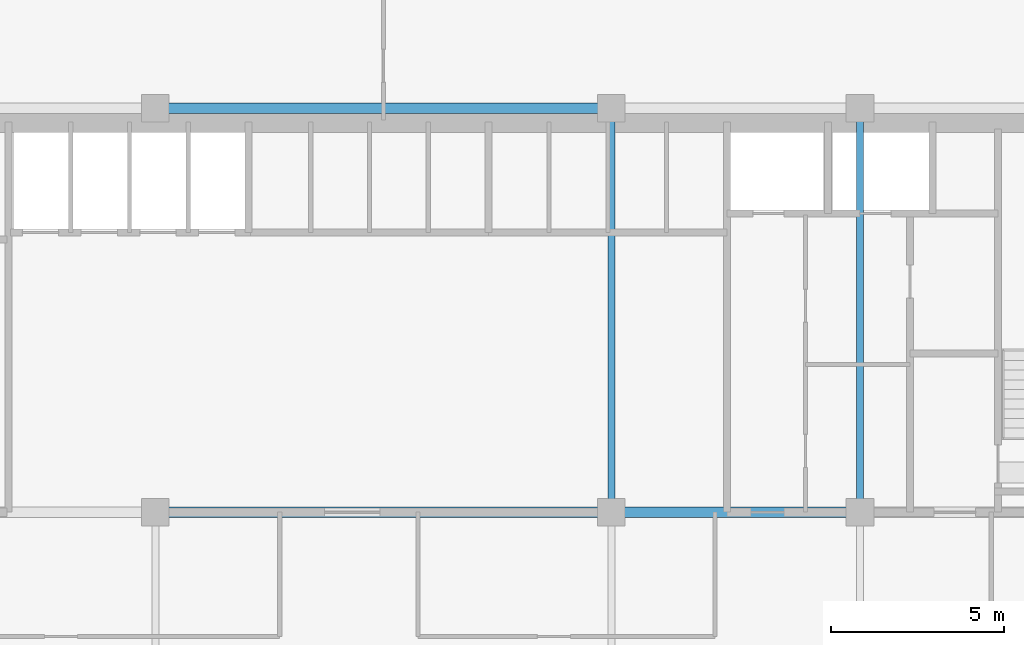
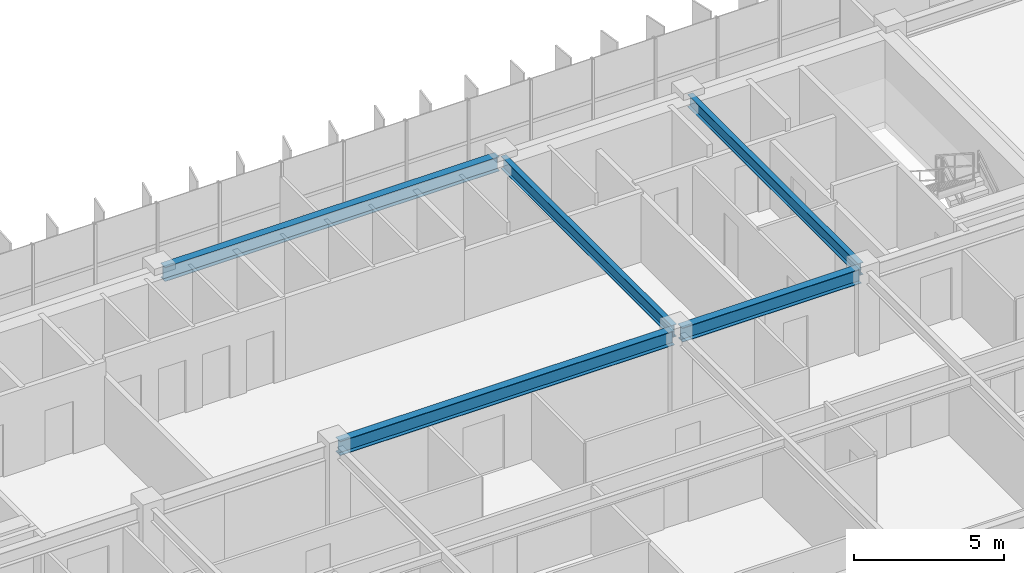
# One storey, part 8 of 21: 5 beams.
"""IFC4 building model written with IfcOpenShell, lengths in metres."""

from ifc_helpers import new_model, si_unit, direction, frame, origin, origin_2d, place, context, subcontext, project, spatial, i_section, extrude, source, transform, mapped, material, material_profile, profile_set, type_object, element, save


model = new_model("IFC4")

# Units and contexts
model_context = context("Model", 3, precision=1e-05, world=origin(), true_north=direction((0.0, 1.0)))
body_context = subcontext(model_context, "Body", "Model", "MODEL_VIEW")
ifc_project = project(units=[si_unit("LENGTHUNIT", "METRE"), si_unit("AREAUNIT", "SQUARE_METRE"), si_unit("VOLUMEUNIT", "CUBIC_METRE"), si_unit("PLANEANGLEUNIT", "RADIAN"), si_unit("MASSUNIT", "GRAM", prefix="KILO")], contexts=[model_context])

# Site, building, storey
site_placement = place(None, origin())
site = spatial("IfcSite", under=ifc_project, at=site_placement, CompositionType="ELEMENT")
building_placement = place(site_placement, origin())
building = spatial("IfcBuilding", under=site, at=building_placement, Name="Trelvane Seafront Commons", CompositionType="ELEMENT")
storey_placement = place(building_placement, frame((0.0, 0.0, 106.89990234375)))
storey = spatial("IfcBuildingStorey", under=building, at=storey_placement, Name="L27", CompositionType="ELEMENT", Elevation=106.89990234375)

# Beams
ifc_material = material(Name="Steel SM355 (S355)", Category="steel")
ifc_material_profile_1 = material_profile(ifc_material, i_section(OverallWidth=0.300048828125, OverallDepth=0.587890625, WebThickness=0.011962890625, FlangeThickness=0.02001953125, at=origin_2d()), Name="H-588x300x12x20")
ifc_profile_set_1 = profile_set([ifc_material_profile_1], Name="Steel SM355 (S355)")
beam_type_1 = type_object("IfcBeamType", Name="STR-BM-H588", PredefinedType="BEAM", material=ifc_profile_set_1)
shared_shape_1 = source(origin(), body_context, "Body", "SweptSolid", [
    extrude(i_section(OverallWidth=0.300048828125, OverallDepth=0.587890625, WebThickness=0.011962890625, FlangeThickness=0.02001953125, at=origin_2d()), origin(), (0.0, 0.0, 1.0), 12.89990234375),
])
for number, where, z_axis, x_axis, name in (
    (1, (30.75, 33.39990234375, 3.046142578125), (1.0, 0.0, 0.0), (0.0, 1.0, 0.0), "L27 Primary Girder G-23"),
    (2, (30.75, 45.10009765625, 3.046142578125), (1.0, 0.0, 0.0), (0.0, 1.0, 0.0), "L27 Primary Girder G-32"),
):
    element("IfcBeam", number, at=place(storey_placement, frame(where, z_axis=z_axis, x_axis=x_axis)), inside=storey, type_object=beam_type_1, Name=name, PredefinedType="BEAM", context=body_context, shape_type="MappedRepresentation", body=[
        mapped(shared_shape_1, transform((0.0, 0.0, 0.0), x_axis=(1.0, 0.0, 0.0), y_axis=(0.0, 1.0, 0.0), z_axis=(0.0, 0.0, 1.0), scale=1.0)),
    ])
shared_shape_2 = source(origin(), body_context, "Body", "SweptSolid", [
    extrude(i_section(OverallWidth=0.300048828125, OverallDepth=0.587890625, WebThickness=0.011962890625, FlangeThickness=0.02001953125, at=origin_2d()), origin(), (0.0, 0.0, 1.0), 6.900146484375),
])
beam_placement = place(storey_placement, frame((43.949951171875, 33.39990234375, 3.046142578125), z_axis=(1.0, 0.0, 0.0), x_axis=(0.0, 1.0, 0.0)))
element("IfcBeam", 3, at=beam_placement, inside=storey, type_object=beam_type_1, Name="L27 Primary Girder G-24", PredefinedType="BEAM", context=body_context, shape_type="MappedRepresentation", body=[
    mapped(shared_shape_2, transform((0.0, 0.0, 0.0), x_axis=(1.0, 0.0, 0.0), y_axis=(0.0, 1.0, 0.0), z_axis=(0.0, 0.0, 1.0), scale=1.0)),
])
ifc_material_profile_2 = material_profile(ifc_material, i_section(OverallWidth=0.199951171875, OverallDepth=0.5, WebThickness=0.010009765625, FlangeThickness=0.01611328125, at=origin_2d()), Name="H-500x200x10x16")
ifc_profile_set_2 = profile_set([ifc_material_profile_2], Name="Steel SM355 (S355)")
beam_type_2 = type_object("IfcBeamType", Name="STR-BM-H500", PredefinedType="BEAM", material=ifc_profile_set_2)
shared_shape_3 = source(origin(), body_context, "Body", "SweptSolid", [
    extrude(i_section(OverallWidth=0.199951171875, OverallDepth=0.5, WebThickness=0.010009765625, FlangeThickness=0.01611328125, at=origin_2d()), origin(), (0.0, 0.0, 1.0), 11.39990234375),
])
for number, where, z_axis, x_axis, name in (
    (4, (43.800048828125, 33.550048828125, 3.090087890625), (0.0, 1.0, 0.0), (-1.0, 0.0, 0.0), "L27 Primary Girder G-54"),
    (5, (51.0, 33.550048828125, 3.090087890625), (0.0, 1.0, 0.0), (-1.0, 0.0, 0.0), "L27 Primary Girder G-57"),
):
    element("IfcBeam", number, at=place(storey_placement, frame(where, z_axis=z_axis, x_axis=x_axis)), inside=storey, type_object=beam_type_2, Name=name, PredefinedType="BEAM", context=body_context, shape_type="MappedRepresentation", body=[
        mapped(shared_shape_3, transform((0.0, 0.0, 0.0), x_axis=(1.0, 0.0, 0.0), y_axis=(0.0, 1.0, 0.0), z_axis=(0.0, 0.0, 1.0), scale=1.0)),
    ])

save(model, "model.ifc")
